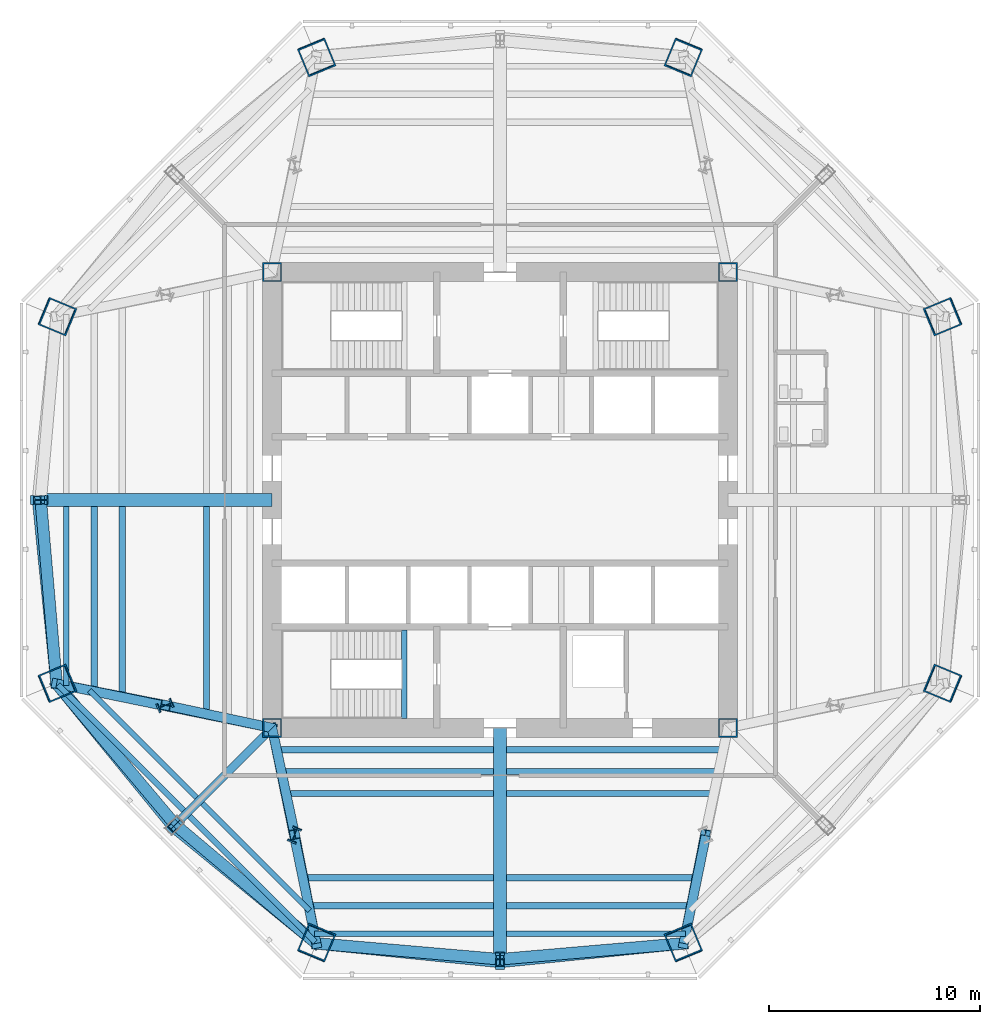
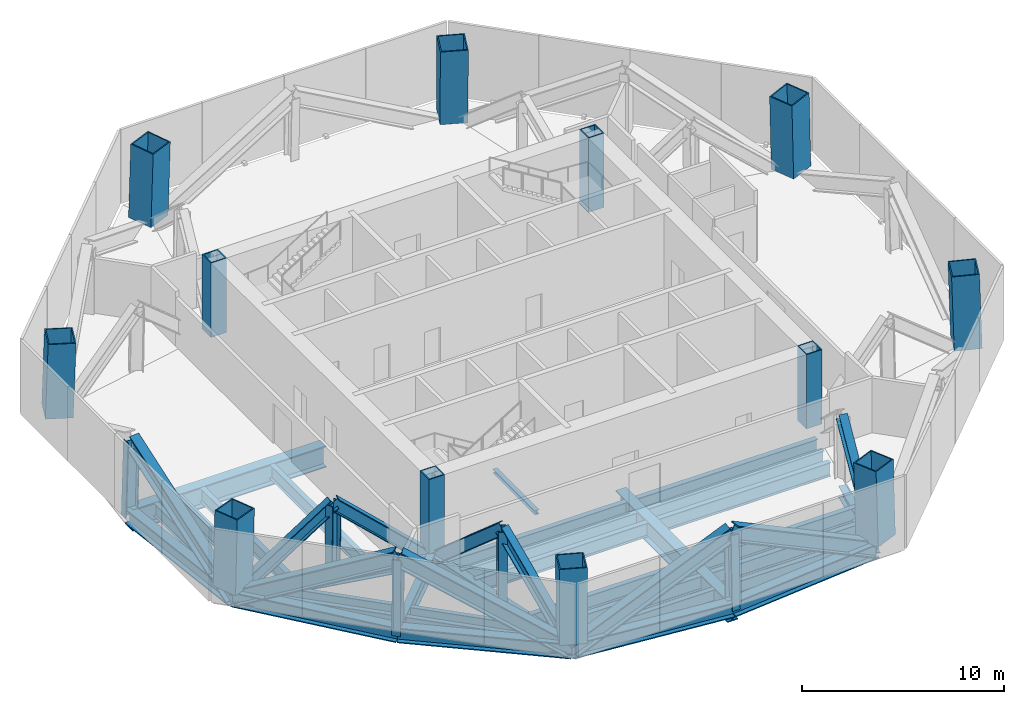
# One storey, part 1 of 9: 25 members, 24 beams, 12 columns.
"""IFC4 building model written with IfcOpenShell, lengths in metres."""

import ifcopenshell
import ifcopenshell.guid

model = None  # the IFC model being written
_history = None  # IfcOwnerHistory: only IFC2X3 demands one
_inside = {}  # id of a spatial element -> (the spatial element, [elements in it])
_under = {}  # id of a project, library or spatial element -> (it, [spatial elements below it])
_declared = {}  # id of a project -> (the project, [libraries it declares])
_typed = {}  # id of a type object -> (the type object, [elements of that type])
_made_of = {}  # id of a material, layer set ... -> (it, [elements and type objects made of it])


def new_model(schema):
    """Start an empty IFC model of exactly this schema.

    Asked for "IFC4X3", IfcOpenShell would pick the latest addendum, in which some entities
    have other attributes; the version numbers below select the first issue.
    IFC2X3 requires an IfcOwnerHistory on every rooted entity: one is made here for all.
    """
    global model, _history
    if schema == "IFC4X3":
        model = ifcopenshell.file(schema_version=(4, 3, 0, 0))
    else:
        model = ifcopenshell.file(schema=schema)
    _inside.clear()
    _under.clear()
    _declared.clear()
    _typed.clear()
    _made_of.clear()
    _history = None
    if model.schema == "IFC2X3":
        org = make("IfcOrganization", Name="unknown")
        user = make(
            "IfcPersonAndOrganization",
            ThePerson=make("IfcPerson", FamilyName="unknown"),
            TheOrganization=org,
        )
        app = make(
            "IfcApplication",
            ApplicationDeveloper=org,
            Version="unknown",
            ApplicationFullName="unknown",
            ApplicationIdentifier="unknown",
        )
        _history = make(
            "IfcOwnerHistory",
            OwningUser=user,
            OwningApplication=app,
            ChangeAction="ADDED",
            CreationDate=0,
        )
    return model


def make(cls, **values):
    """One entity of the class cls with the attributes given. An attribute that is None is left unset."""
    return model.create_entity(
        cls, **{name: value for name, value in values.items() if value is not None}
    )


def rooted(cls, **values):
    """An entity with a GlobalId (a new one), such as an element, a storey or a relation."""
    return make(cls, GlobalId=ifcopenshell.guid.new(), OwnerHistory=_history, **values)


def si_unit(unit_type, name, prefix=None):
    """IfcSIUnit, for example si_unit("LENGTHUNIT", "METRE", prefix="MILLI")."""
    return make("IfcSIUnit", UnitType=unit_type, Prefix=prefix, Name=name)


def assignment(units):
    """IfcUnitAssignment: the units of a project."""
    return None if units is None else make("IfcUnitAssignment", Units=units)


def point(xyz):
    """IfcCartesianPoint."""
    return None if xyz is None else make("IfcCartesianPoint", Coordinates=xyz)


def direction(xyz):
    """IfcDirection."""
    return None if xyz is None else make("IfcDirection", DirectionRatios=xyz)


def frame(location, z_axis=None, x_axis=None):
    """IfcAxis2Placement3D, a coordinate frame: its origin and axes. An axis left out is left unset."""
    return make(
        "IfcAxis2Placement3D",
        Location=point(location),
        Axis=direction(z_axis),
        RefDirection=direction(x_axis),
    )


def frame_2d(location, x_axis=None):
    """IfcAxis2Placement2D, a coordinate frame in the plane: its origin and x axis."""
    return make(
        "IfcAxis2Placement2D", Location=point(location), RefDirection=direction(x_axis)
    )


def origin():
    """The frame at (0, 0, 0) with its axes left unset."""
    return frame((0.0, 0.0, 0.0))


def origin_2d():
    """The frame at (0, 0) in the plane with its x axis left unset."""
    return frame_2d((0.0, 0.0))


def place(relative_to, where):
    """IfcLocalPlacement: puts the frame where relative to a parent placement (None: the world)."""
    return make(
        "IfcLocalPlacement", PlacementRelTo=relative_to, RelativePlacement=where
    )


def context(
    kind, dimensions, precision=None, world=None, true_north=None, identifier=None
):
    """IfcGeometricRepresentationContext, for example the 3D "Model" context."""
    return make(
        "IfcGeometricRepresentationContext",
        ContextIdentifier=identifier,
        ContextType=kind,
        CoordinateSpaceDimension=dimensions,
        Precision=precision,
        WorldCoordinateSystem=world,
        TrueNorth=true_north,
    )


def subcontext(parent, identifier, kind, view, scale=None):
    """IfcGeometricRepresentationSubContext, for example "Body" below "Model"."""
    return make(
        "IfcGeometricRepresentationSubContext",
        ContextIdentifier=identifier,
        ContextType=kind,
        ParentContext=parent,
        TargetScale=scale,
        TargetView=view,
    )


def project(units=None, contexts=None):
    """IfcProject with its units and contexts."""
    return rooted(
        "IfcProject",
        Name="project",
        RepresentationContexts=contexts,
        UnitsInContext=assignment(units),
    )


def spatial(cls, under=None, at=None, **own):
    """A site, building, storey or space (cls), placed at a placement, below another one or the project."""
    s = rooted(cls, ObjectPlacement=at, **own)
    if under is not None:
        _under.setdefault(under.id(), (under, []))[1].append(s)
    return s


def profile(cls, at=None, kind="AREA", **sizes):
    """A parametric profile (cls). Its sizes go by their IFC names, for example OverallWidth=200.0."""
    return make(cls, ProfileType=kind, Position=at, **sizes)


def hollow_rectangle(**sizes):
    """IfcRectangleHollowProfileDef."""
    return profile("IfcRectangleHollowProfileDef", **sizes)


def i_section(**sizes):
    """IfcIShapeProfileDef."""
    return profile("IfcIShapeProfileDef", **sizes)


def extrude(swept, where, along, depth):
    """IfcExtrudedAreaSolid: the profile swept, set in the frame where, extruded along a direction by depth."""
    return make(
        "IfcExtrudedAreaSolid",
        SweptArea=swept,
        Position=where,
        ExtrudedDirection=direction(along),
        Depth=depth,
    )


def shape(context_of_items, identifier, shape_type, items):
    """IfcShapeRepresentation: the items that make up one representation, for example the "Body"."""
    return make(
        "IfcShapeRepresentation",
        ContextOfItems=context_of_items,
        RepresentationIdentifier=identifier,
        RepresentationType=shape_type,
        Items=items,
    )


def source(mapping_origin, context_of_items, identifier, shape_type, items):
    """IfcRepresentationMap: a shape defined once, which mapped items show again and again."""
    return make(
        "IfcRepresentationMap",
        MappingOrigin=mapping_origin,
        MappedRepresentation=shape(context_of_items, identifier, shape_type, items),
    )


def transform(
    local_origin,
    x_axis=None,
    y_axis=None,
    z_axis=None,
    scale=None,
    scale2=None,
    scale3=None,
    uniform=True,
):
    """IfcCartesianTransformationOperator3D, or its non-uniform kind. x_axis, y_axis, z_axis: its Axis1, 2, 3."""
    if uniform:
        return make(
            "IfcCartesianTransformationOperator3D",
            Axis1=direction(x_axis),
            Axis2=direction(y_axis),
            LocalOrigin=point(local_origin),
            Scale=scale,
            Axis3=direction(z_axis),
        )
    return make(
        "IfcCartesianTransformationOperator3DnonUniform",
        Axis1=direction(x_axis),
        Axis2=direction(y_axis),
        LocalOrigin=point(local_origin),
        Scale=scale,
        Axis3=direction(z_axis),
        Scale2=scale2,
        Scale3=scale3,
    )


def mapped(mapping_source, mapping_target):
    """IfcMappedItem: shows the shape of a source again, moved by a transform."""
    return make(
        "IfcMappedItem", MappingSource=mapping_source, MappingTarget=mapping_target
    )


def material(Name=None, Category=None):
    """IfcMaterial."""
    return make("IfcMaterial", Name=Name, Category=Category)


def material_profile(
    of_material, cross_section, Name=None, Category=None, Priority=None
):
    """IfcMaterialProfile: a cross section and its material."""
    return make(
        "IfcMaterialProfile",
        Name=Name,
        Material=of_material,
        Profile=cross_section,
        Priority=Priority,
        Category=Category,
    )


def profile_set(profiles, Name=None, composite=None):
    """IfcMaterialProfileSet."""
    return make(
        "IfcMaterialProfileSet",
        Name=Name,
        MaterialProfiles=profiles,
        CompositeProfile=composite,
    )


def made_of(thing, what):
    """Note that an element or type object is made of a material, layer set ...; save() writes the relation."""
    if what is not None:
        _made_of.setdefault(what.id(), (what, []))[1].append(thing)
    return thing


def type_object(cls, material=None, **own):
    """A type object (cls), such as IfcWallType, which elements share."""
    return made_of(rooted(cls, **own), material)


def type_shapes(of_type, sources):
    """Give a type object the sources (RepresentationMaps) that its elements show as mapped items."""
    of_type.RepresentationMaps = sources


def element(
    cls,
    number,
    at=None,
    inside=None,
    cuts=None,
    type_object=None,
    material=None,
    context=None,
    identifier="Body",
    shape_type=None,
    held_by="IfcProductDefinitionShape",
    body=None,
    shapes=None,
    **own,
):
    """One element of the class cls, such as IfcWall. Its Tag is "e" and its number.

    at: its placement. inside: the storey or other place that contains it. cuts: it is an
    opening in that element (IfcRelVoidsElement). A single representation is given by context,
    identifier, shape_type and body (its items); several are given by shapes. held_by: the class
    of the entity that holds the representations. save() writes the other relations.
    """
    e = rooted(cls, Tag="e%d" % number, ObjectPlacement=at, **own)
    if body is not None:
        shapes = [shape(context, identifier, shape_type, body)]
    if shapes is not None:
        e.Representation = make(held_by, Representations=shapes)
    if inside is not None:
        _inside.setdefault(inside.id(), (inside, []))[1].append(e)
    if cuts is not None:
        rooted(
            "IfcRelVoidsElement", RelatingBuildingElement=cuts, RelatedOpeningElement=e
        )
    if type_object is not None:
        _typed.setdefault(type_object.id(), (type_object, []))[1].append(e)
    return made_of(e, material)


def aggregate(whole, parts):
    """IfcRelAggregates: a whole, such as a stair, and the parts it consists of."""
    return rooted("IfcRelAggregates", RelatingObject=whole, RelatedObjects=parts)


def save(model, path):
    """Write the relations noted so far, then the file.

    IfcRelAggregates (storeys below a building ...), IfcRelContainedInSpatialStructure (elements
    in a storey), IfcRelDefinesByType, IfcRelAssociatesMaterial and IfcRelDeclares: one each for
    every whole, place, type object, material and project.
    """
    for whole, parts in _under.values():
        aggregate(whole, parts)
    for where, things in _inside.values():
        rooted(
            "IfcRelContainedInSpatialStructure",
            RelatedElements=things,
            RelatingStructure=where,
        )
    for kind, things in _typed.values():
        rooted("IfcRelDefinesByType", RelatedObjects=things, RelatingType=kind)
    for what, things in _made_of.values():
        rooted("IfcRelAssociatesMaterial", RelatedObjects=things, RelatingMaterial=what)
    for by, libraries in _declared.values():
        rooted("IfcRelDeclares", RelatingContext=by, RelatedDefinitions=libraries)
    model.write(path)


model = new_model("IFC4")

# Units and contexts
model_context = context("Model", 3, precision=1e-05, world=origin(), true_north=direction((0.0, 1.0)))
body_context = subcontext(model_context, "Body", "Model", "MODEL_VIEW")
ifc_project = project(units=[si_unit("LENGTHUNIT", "METRE"), si_unit("AREAUNIT", "SQUARE_METRE"), si_unit("VOLUMEUNIT", "CUBIC_METRE"), si_unit("PLANEANGLEUNIT", "RADIAN"), si_unit("MASSUNIT", "GRAM", prefix="KILO")], contexts=[model_context])

# Site, building, storey
site_placement = place(None, origin())
site = spatial("IfcSite", under=ifc_project, at=site_placement, CompositionType="ELEMENT")
building_placement = place(site_placement, origin())
building = spatial("IfcBuilding", under=site, at=building_placement, Name="Mashrafa Tower", CompositionType="ELEMENT")
storey_placement = place(building_placement, frame((0.0, 0.0, 189.0)))
storey = spatial("IfcBuildingStorey", under=building, at=storey_placement, Name="L43", CompositionType="ELEMENT", Elevation=189.0)

# Columns
ifc_material_1 = material(Name="Steel ASTM A572 Gr 50", Category="steel")
ifc_material_profile_1 = material_profile(ifc_material_1, hollow_rectangle(XDim=0.89990234375, YDim=0.89990234375, WallThickness=0.06005859375, at=origin_2d()), Name="BOX900X900X60")
ifc_profile_set_1 = profile_set([ifc_material_profile_1], Name="Steel ASTM A572 Gr 50")
column_type_1 = type_object("IfcColumnType", Name="Core corner column BOX900X900X60", PredefinedType="COLUMN", material=ifc_profile_set_1)
for number, where, z_axis, x_axis, name in (
    (1, (10.800048828125, 10.800048828125, 0.0), (0.0, 0.0, 1.0), (1.0, 0.0, 0.0), "Core corner column CC-NE L43"),
    (2, (-10.800048828125, 10.800048828125, 0.0), (0.0, 0.0, 1.0), (1.0, 0.0, 0.0), "Core corner column CC-NW L43"),
    (3, (-10.800048828125, -10.800048828125, 0.0), (0.0, 0.0, 1.0), (1.0, 0.0, 0.0), "Core corner column CC-SW L43"),
    (4, (10.800048828125, -10.800048828125, 0.0), (0.0, 0.0, 1.0), (1.0, 0.0, 0.0), "Core corner column CC-SE L43"),
):
    element("IfcColumn", number, at=place(storey_placement, frame(where, z_axis=z_axis, x_axis=x_axis)), inside=storey, type_object=column_type_1, Name=name, PredefinedType="COLUMN", context=body_context, shape_type="SweptSolid", body=[
        extrude(hollow_rectangle(XDim=0.89990234375, YDim=0.89990234375, WallThickness=0.06005859375, at=origin_2d()), origin(), (0.0, 0.0, 1.0), 4.5),
    ])
ifc_material_2 = material(Name="Steel ASTM A572 Gr 50", Category="steel")
ifc_material_profile_2 = material_profile(ifc_material_2, hollow_rectangle(XDim=1.39990234375, YDim=1.39990234375, WallThickness=0.06494140625, at=origin_2d()), Name="BOX1400X1400X65")
ifc_profile_set_2 = profile_set([ifc_material_profile_2], Name="Steel ASTM A572 Gr 50")
column_type_2 = type_object("IfcColumnType", Name="Mega column CFST BOX1400X1400X65", PredefinedType="COLUMN", material=ifc_profile_set_2)
for number, where, z_axis, x_axis, name in (
    (5, (20.989990234375, 8.6943359375, 0.0), (-0.028307020249, -0.011713249758, 0.999530646046), (0.382351792726, -0.924016832422, 0.0), "Mega column MC1 L43"),
    (6, (8.6943359375, 20.989990234375, 0.0), (-0.011713249758, -0.028307020249, 0.999530646046), (0.924016832422, -0.382351792726, 0.0), "Mega column MC2 L43"),
    (7, (-8.6943359375, 20.989990234375, 0.0), (0.011713249758, -0.028307020249, 0.999530646046), (0.924016832422, 0.382351792726, 0.0), "Mega column MC3 L43"),
    (8, (-20.989990234375, 8.6943359375, 0.0), (0.028307020249, -0.011713249758, 0.999530646046), (0.382351792726, 0.924016832422, 0.0), "Mega column MC4 L43"),
    (9, (-20.989990234375, -8.6943359375, 0.0), (0.028307020249, 0.011713249758, 0.999530646046), (-0.382351792726, 0.924016832422, 0.0), "Mega column MC5 L43"),
    (10, (-8.6943359375, -20.989990234375, 0.0), (0.011713249758, 0.028307020249, 0.999530646046), (-0.924016832422, 0.382351792726, 0.0), "Mega column MC6 L43"),
    (11, (8.6943359375, -20.989990234375, 0.0), (-0.011713249758, 0.028307020249, 0.999530646046), (-0.924016832422, -0.382351792726, 0.0), "Mega column MC7 L43"),
    (12, (20.989990234375, -8.6943359375, 0.0), (-0.028307020249, 0.011713249758, 0.999530646046), (-0.382351792726, -0.924016832422, 0.0), "Mega column MC8 L43"),
):
    element("IfcColumn", number, at=place(storey_placement, frame(where, z_axis=z_axis, x_axis=x_axis)), inside=storey, type_object=column_type_2, Name=name, PredefinedType="COLUMN", context=body_context, shape_type="SweptSolid", body=[
        extrude(hollow_rectangle(XDim=1.39990234375, YDim=1.39990234375, WallThickness=0.06494140625, at=origin_2d()), origin(), (0.0, 0.0, 1.0), 4.502197265625),
    ])

# Beams
ifc_material_3 = material(Name="Steel ASTM A572 Gr 50", Category="steel")
ifc_material_profile_3 = material_profile(ifc_material_3, i_section(OverallWidth=0.60009765625, OverallDepth=1.300048828125, WebThickness=0.028076171875, FlangeThickness=0.06494140625, at=origin_2d()), Name="H1300X600X28X65")
ifc_profile_set_3 = profile_set([ifc_material_profile_3], Name="Steel ASTM A572 Gr 50")
beam_type_1 = type_object("IfcBeamType", Name="Beam H1300X600X28X65", PredefinedType="BEAM", material=ifc_profile_set_3)
for number, where, z_axis, x_axis, name in (
    (13, (-10.800048828125, 0.0, -0.89990234375), (-1.0, 0.0, 0.0), (0.0, -1.0, 0.0), "Radial girder L43 066"),
    (14, (0.0, -10.800048828125, -0.89990234375), (0.0, -1.0, 0.0), (1.0, 0.0, 0.0), "Radial girder L43 068"),
):
    element("IfcBeam", number, at=place(storey_placement, frame(where, z_axis=z_axis, x_axis=x_axis)), inside=storey, type_object=beam_type_1, Name=name, PredefinedType="BEAM", context=body_context, shape_type="SweptSolid", body=[
        extrude(i_section(OverallWidth=0.60009765625, OverallDepth=1.300048828125, WebThickness=0.028076171875, FlangeThickness=0.06494140625, at=origin_2d()), origin(), (0.0, 0.0, 1.0), 11.0751953125),
    ])
ifc_material_4 = material(Name="Steel ASTM A992", Category="steel")
ifc_material_profile_4 = material_profile(ifc_material_4, i_section(OverallWidth=0.25390625, OverallDepth=0.683349609375, WebThickness=0.012451171875, FlangeThickness=0.01904296875, FilletRadius=0.01513671875, at=origin_2d()), Name="W27X94")
ifc_profile_set_4 = profile_set([ifc_material_profile_4], Name="Steel ASTM A992")
beam_type_2 = type_object("IfcBeamType", Name="Beam W27X94", PredefinedType="BEAM", material=ifc_profile_set_4)
for number, where, z_axis, x_axis, name in (
    (15, (-14.37939453125, -14.095703125, -0.591552734375), (-0.707106781187, 0.707106781187, 0.0), (-0.707106781187, -0.707106781187, 0.0), "Floor beam L43 011"),
    (16, (-9.013916015625, -19.461181640625, -0.591552734375), (-0.707106781187, 0.707106781187, 0.0), (-0.707106781187, -0.707106781187, 0.0), "Floor beam L43 024"),
):
    element("IfcBeam", number, at=place(storey_placement, frame(where, z_axis=z_axis, x_axis=x_axis)), inside=storey, type_object=beam_type_2, Name=name, PredefinedType="BEAM", context=body_context, shape_type="SweptSolid", body=[
        extrude(i_section(OverallWidth=0.25390625, OverallDepth=0.683349609375, WebThickness=0.012451171875, FlangeThickness=0.01904296875, FilletRadius=0.01513671875, at=origin_2d()), origin(), (0.0, 0.0, 1.0), 7.186767578125),
    ])
ifc_material_5 = material(Name="Steel ASTM A992", Category="steel")
ifc_material_profile_5 = material_profile(ifc_material_5, i_section(OverallWidth=0.2666015625, OverallDepth=0.761962890625, WebThickness=0.014404296875, FlangeThickness=0.021484375, FilletRadius=0.0166015625, at=origin_2d()), Name="W30X116")
ifc_profile_set_5 = profile_set([ifc_material_profile_5], Name="Steel ASTM A992")
beam_type_3 = type_object("IfcBeamType", Name="Beam W30X116", PredefinedType="BEAM", material=ifc_profile_set_5)
beam_1_placement = place(storey_placement, frame((-20.5498046875, -8.78955078125, -0.631103515625), z_axis=(0.0, 1.0, 0.0), x_axis=(-1.0, 0.0, 0.0)))
element("IfcBeam", 17, at=beam_1_placement, inside=storey, type_object=beam_type_3, Name="Floor beam L43 002", PredefinedType="BEAM", context=body_context, shape_type="SweptSolid", body=[
    extrude(i_section(OverallWidth=0.2666015625, OverallDepth=0.761962890625, WebThickness=0.014404296875, FlangeThickness=0.021484375, FilletRadius=0.0166015625, at=origin_2d()), origin(), (0.0, 0.0, 1.0), 8.489501953125),
])
for number, where, z_axis, x_axis, name in (
    (18, (-14.99462890625, -14.7109375, -0.631103515625), (-0.707121284305, 0.707092277771, 0.0), (-0.707092277771, -0.707121284305, 0.0), "Floor beam L43 009"),
    (19, (-8.759521484375, -20.9462890625, -0.631103515625), (-0.707092277771, 0.707121284305, 0.0), (-0.707121284305, -0.707092277771, 0.0), "Floor beam L43 026"),
):
    element("IfcBeam", number, at=place(storey_placement, frame(where, z_axis=z_axis, x_axis=x_axis)), inside=storey, type_object=beam_type_3, Name=name, PredefinedType="BEAM", context=body_context, shape_type="SweptSolid", body=[
        extrude(i_section(OverallWidth=0.2666015625, OverallDepth=0.761962890625, WebThickness=0.014404296875, FlangeThickness=0.021484375, FilletRadius=0.0166015625, at=origin_2d()), origin(), (0.0, 0.0, 1.0), 8.416748046875),
    ])
for number, where, z_axis, x_axis, name in (
    (20, (-0.300048828125, -20.5498046875, -0.631103515625), (-1.0, 0.0, 0.0), (0.0, -1.0, 0.0), "Floor beam L43 027"),
    (21, (8.78955078125, -20.5498046875, -0.631103515625), (-1.0, 0.0, 0.0), (0.0, -1.0, 0.0), "Floor beam L43 040"),
):
    element("IfcBeam", number, at=place(storey_placement, frame(where, z_axis=z_axis, x_axis=x_axis)), inside=storey, type_object=beam_type_3, Name=name, PredefinedType="BEAM", context=body_context, shape_type="SweptSolid", body=[
        extrude(i_section(OverallWidth=0.2666015625, OverallDepth=0.761962890625, WebThickness=0.014404296875, FlangeThickness=0.021484375, FilletRadius=0.0166015625, at=origin_2d()), origin(), (0.0, 0.0, 1.0), 8.489501953125),
    ])
ifc_material_6 = material(Name="Steel ASTM A992", Category="steel")
ifc_material_profile_6 = material_profile(ifc_material_6, i_section(OverallWidth=0.2919921875, OverallDepth=0.8408203125, WebThickness=0.0146484375, FlangeThickness=0.021728515625, FilletRadius=0.017333984375, at=origin_2d()), Name="W33X130")
ifc_profile_set_6 = profile_set([ifc_material_profile_6], Name="Steel ASTM A992")
beam_type_4 = type_object("IfcBeamType", Name="Beam W33X130", PredefinedType="BEAM", material=ifc_profile_set_6)
beam_2_placement = place(storey_placement, frame((-19.224365234375, -9.062744140625, -0.67041015625), z_axis=(0.0, 1.0, 0.0), x_axis=(-1.0, 0.0, 0.0)))
element("IfcBeam", 22, at=beam_2_placement, inside=storey, type_object=beam_type_4, Name="Floor beam L43 005", PredefinedType="BEAM", context=body_context, shape_type="SweptSolid", body=[
    extrude(i_section(OverallWidth=0.2919921875, OverallDepth=0.8408203125, WebThickness=0.0146484375, FlangeThickness=0.021728515625, FilletRadius=0.017333984375, at=origin_2d()), origin(), (0.0, 0.0, 1.0), 8.7626953125),
])
beam_3_placement = place(storey_placement, frame((-17.89892578125, -9.336181640625, -0.67041015625), z_axis=(0.0, 1.0, 0.0), x_axis=(-1.0, 0.0, 0.0)))
element("IfcBeam", 23, at=beam_3_placement, inside=storey, type_object=beam_type_4, Name="Floor beam L43 007", PredefinedType="BEAM", context=body_context, shape_type="SweptSolid", body=[
    extrude(i_section(OverallWidth=0.2919921875, OverallDepth=0.8408203125, WebThickness=0.0146484375, FlangeThickness=0.021728515625, FilletRadius=0.017333984375, at=origin_2d()), origin(), (0.0, 0.0, 1.0), 9.0361328125),
])
beam_4_placement = place(storey_placement, frame((-0.300048828125, -19.224365234375, -0.67041015625), z_axis=(-1.0, 0.0, 0.0), x_axis=(0.0, -1.0, 0.0)))
element("IfcBeam", 24, at=beam_4_placement, inside=storey, type_object=beam_type_4, Name="Floor beam L43 028", PredefinedType="BEAM", context=body_context, shape_type="SweptSolid", body=[
    extrude(i_section(OverallWidth=0.2919921875, OverallDepth=0.8408203125, WebThickness=0.0146484375, FlangeThickness=0.021728515625, FilletRadius=0.017333984375, at=origin_2d()), origin(), (0.0, 0.0, 1.0), 8.7626953125),
])
beam_5_placement = place(storey_placement, frame((-0.300048828125, -17.89892578125, -0.67041015625), z_axis=(-1.0, 0.0, 0.0), x_axis=(0.0, -1.0, 0.0)))
element("IfcBeam", 25, at=beam_5_placement, inside=storey, type_object=beam_type_4, Name="Floor beam L43 029", PredefinedType="BEAM", context=body_context, shape_type="SweptSolid", body=[
    extrude(i_section(OverallWidth=0.2919921875, OverallDepth=0.8408203125, WebThickness=0.0146484375, FlangeThickness=0.021728515625, FilletRadius=0.017333984375, at=origin_2d()), origin(), (0.0, 0.0, 1.0), 9.0361328125),
])
beam_6_placement = place(storey_placement, frame((9.062744140625, -19.224365234375, -0.67041015625), z_axis=(-1.0, 0.0, 0.0), x_axis=(0.0, -1.0, 0.0)))
element("IfcBeam", 26, at=beam_6_placement, inside=storey, type_object=beam_type_4, Name="Floor beam L43 042", PredefinedType="BEAM", context=body_context, shape_type="SweptSolid", body=[
    extrude(i_section(OverallWidth=0.2919921875, OverallDepth=0.8408203125, WebThickness=0.0146484375, FlangeThickness=0.021728515625, FilletRadius=0.017333984375, at=origin_2d()), origin(), (0.0, 0.0, 1.0), 8.7626953125),
])
beam_7_placement = place(storey_placement, frame((9.336181640625, -17.89892578125, -0.67041015625), z_axis=(-1.0, 0.0, 0.0), x_axis=(0.0, -1.0, 0.0)))
element("IfcBeam", 27, at=beam_7_placement, inside=storey, type_object=beam_type_4, Name="Floor beam L43 043", PredefinedType="BEAM", context=body_context, shape_type="SweptSolid", body=[
    extrude(i_section(OverallWidth=0.2919921875, OverallDepth=0.8408203125, WebThickness=0.0146484375, FlangeThickness=0.021728515625, FilletRadius=0.017333984375, at=origin_2d()), origin(), (0.0, 0.0, 1.0), 9.0361328125),
])
ifc_material_7 = material(Name="Steel ASTM A992", Category="steel")
ifc_material_profile_7 = material_profile(ifc_material_7, i_section(OverallWidth=0.2919921875, OverallDepth=0.845703125, WebThickness=0.015380859375, FlangeThickness=0.0244140625, FilletRadius=0.017333984375, at=origin_2d()), Name="W33X141")
ifc_profile_set_7 = profile_set([ifc_material_profile_7], Name="Steel ASTM A992")
beam_type_5 = type_object("IfcBeamType", Name="Beam W33X141", PredefinedType="BEAM", material=ifc_profile_set_7)
for number, where, z_axis, x_axis, name in (
    (28, (-13.89892578125, -10.160888671875, -0.6728515625), (0.0, 1.0, 0.0), (-1.0, 0.0, 0.0), "Floor beam L43 013"),
    (29, (-0.300048828125, -13.89892578125, -0.6728515625), (-1.0, 0.0, 0.0), (0.0, -1.0, 0.0), "Floor beam L43 030"),
):
    element("IfcBeam", number, at=place(storey_placement, frame(where, z_axis=z_axis, x_axis=x_axis)), inside=storey, type_object=beam_type_5, Name=name, PredefinedType="BEAM", context=body_context, shape_type="SweptSolid", body=[
        extrude(i_section(OverallWidth=0.2919921875, OverallDepth=0.845703125, WebThickness=0.015380859375, FlangeThickness=0.0244140625, FilletRadius=0.017333984375, at=origin_2d()), origin(), (0.0, 0.0, 1.0), 9.86083984375),
    ])
beam_8_placement = place(storey_placement, frame((-0.300048828125, -12.865966796875, -0.6728515625), z_axis=(-1.0, 0.0, 0.0), x_axis=(0.0, -1.0, 0.0)))
element("IfcBeam", 30, at=beam_8_placement, inside=storey, type_object=beam_type_5, Name="Floor beam L43 031", PredefinedType="BEAM", context=body_context, shape_type="SweptSolid", body=[
    extrude(i_section(OverallWidth=0.2919921875, OverallDepth=0.845703125, WebThickness=0.015380859375, FlangeThickness=0.0244140625, FilletRadius=0.017333984375, at=origin_2d()), origin(), (0.0, 0.0, 1.0), 10.073974609375),
])
beam_9_placement = place(storey_placement, frame((10.160888671875, -13.89892578125, -0.6728515625), z_axis=(-1.0, 0.0, 0.0), x_axis=(0.0, -1.0, 0.0)))
element("IfcBeam", 31, at=beam_9_placement, inside=storey, type_object=beam_type_5, Name="Floor beam L43 044", PredefinedType="BEAM", context=body_context, shape_type="SweptSolid", body=[
    extrude(i_section(OverallWidth=0.2919921875, OverallDepth=0.845703125, WebThickness=0.015380859375, FlangeThickness=0.0244140625, FilletRadius=0.017333984375, at=origin_2d()), origin(), (0.0, 0.0, 1.0), 9.86083984375),
])
beam_10_placement = place(storey_placement, frame((10.3740234375, -12.865966796875, -0.6728515625), z_axis=(-1.0, 0.0, 0.0), x_axis=(0.0, -1.0, 0.0)))
element("IfcBeam", 32, at=beam_10_placement, inside=storey, type_object=beam_type_5, Name="Floor beam L43 045", PredefinedType="BEAM", context=body_context, shape_type="SweptSolid", body=[
    extrude(i_section(OverallWidth=0.2919921875, OverallDepth=0.845703125, WebThickness=0.015380859375, FlangeThickness=0.0244140625, FilletRadius=0.017333984375, at=origin_2d()), origin(), (0.0, 0.0, 1.0), 10.073974609375),
])
ifc_material_8 = material(Name="Steel ASTM A992", Category="steel")
ifc_material_profile_8 = material_profile(ifc_material_8, i_section(OverallWidth=0.3046875, OverallDepth=0.911865234375, WebThickness=0.015869140625, FlangeThickness=0.02392578125, FilletRadius=0.01904296875, at=origin_2d()), Name="W36X150")
ifc_profile_set_8 = profile_set([ifc_material_profile_8], Name="Steel ASTM A992")
beam_type_6 = type_object("IfcBeamType", Name="Beam W36X150", PredefinedType="BEAM", material=ifc_profile_set_8)
for number, where, z_axis, x_axis, name in (
    (33, (-0.300048828125, -11.8330078125, -0.705810546875), (-1.0, 0.0, 0.0), (0.0, -1.0, 0.0), "Floor beam L43 032"),
    (34, (10.5869140625, -11.8330078125, -0.705810546875), (-1.0, 0.0, 0.0), (0.0, -1.0, 0.0), "Floor beam L43 046"),
):
    element("IfcBeam", number, at=place(storey_placement, frame(where, z_axis=z_axis, x_axis=x_axis)), inside=storey, type_object=beam_type_6, Name=name, PredefinedType="BEAM", context=body_context, shape_type="SweptSolid", body=[
        extrude(i_section(OverallWidth=0.3046875, OverallDepth=0.911865234375, WebThickness=0.015869140625, FlangeThickness=0.02392578125, FilletRadius=0.01904296875, at=origin_2d()), origin(), (0.0, 0.0, 1.0), 10.286865234375),
    ])
ifc_material_9 = material(Name="Steel ASTM A992", Category="steel")
ifc_material_profile_9 = material_profile(ifc_material_9, i_section(OverallWidth=0.4013671875, OverallDepth=1.010986328125, WebThickness=0.023681640625, FlangeThickness=0.0419921875, FilletRadius=0.02001953125, at=origin_2d()), Name="W40X297")
ifc_profile_set_9 = profile_set([ifc_material_profile_9], Name="Steel ASTM A992")
beam_type_7 = type_object("IfcBeamType", Name="Beam W40X297", PredefinedType="BEAM", material=ifc_profile_set_9)
beam_11_placement = place(storey_placement, frame((-10.800048828125, -10.800048828125, -0.75537109375), z_axis=(-0.707106781187, -0.707106781187, 0.0), x_axis=(0.707106781187, -0.707106781187, 0.0)))
element("IfcBeam", 35, at=beam_11_placement, inside=storey, type_object=beam_type_7, Name="Radial girder L43 065", PredefinedType="BEAM", context=body_context, shape_type="SweptSolid", body=[
    extrude(i_section(OverallWidth=0.4013671875, OverallDepth=1.010986328125, WebThickness=0.023681640625, FlangeThickness=0.0419921875, FilletRadius=0.02001953125, at=origin_2d()), origin(), (0.0, 0.0, 1.0), 6.6015625),
])
ifc_material_10 = material(Name="Steel ASTM A992", Category="steel")
ifc_material_profile_10 = material_profile(ifc_material_10, i_section(OverallWidth=0.25390625, OverallDepth=0.25390625, WebThickness=0.008544921875, FlangeThickness=0.01416015625, FilletRadius=0.010009765625, at=origin_2d()), Name="W10X49")
ifc_profile_set_10 = profile_set([ifc_material_profile_10], Name="Steel ASTM A992")
beam_type_8 = type_object("IfcBeamType", Name="Hoistway beam W10X49", PredefinedType="BEAM", material=ifc_profile_set_10)
beam_12_placement = place(storey_placement, frame((-4.530029296875, -10.35009765625, -0.376953125), z_axis=(0.0, 1.0, 0.0), x_axis=(-1.0, 0.0, 0.0)))
element("IfcBeam", 36, at=beam_12_placement, inside=storey, type_object=beam_type_8, Name="Stair S3 landing beam L43", PredefinedType="BEAM", context=body_context, shape_type="SweptSolid", body=[
    extrude(i_section(OverallWidth=0.25390625, OverallDepth=0.25390625, WebThickness=0.008544921875, FlangeThickness=0.01416015625, FilletRadius=0.010009765625, at=origin_2d()), origin(), (0.0, 0.0, 1.0), 4.2001953125),
])

# Members
ifc_material_11 = material(Name="Steel ASTM A572 Gr 50", Category="steel")
ifc_material_profile_11 = material_profile(ifc_material_11, i_section(OverallWidth=0.449951171875, OverallDepth=0.699951171875, WebThickness=0.028076171875, FlangeThickness=0.044921875, at=origin_2d()), Name="H700X450X28X45")
ifc_profile_set_11 = profile_set([ifc_material_profile_11], Name="Steel ASTM A572 Gr 50")
member_type_1 = type_object("IfcMemberType", Name="Outrigger post H700X450X28X45", PredefinedType="POST", material=ifc_profile_set_11)
shared_shape_1 = source(origin(), body_context, "Body", "SweptSolid", [
    extrude(i_section(OverallWidth=0.449951171875, OverallDepth=0.699951171875, WebThickness=0.028076171875, FlangeThickness=0.044921875, at=origin_2d()), origin(), (0.0, 0.0, 1.0), 4.50048828125),
])
type_shapes(member_type_1, [shared_shape_1])
for number, where, z_axis, x_axis, name in (
    (37, (-15.90478515625, -9.751220703125, -0.699951171875), (0.01410425755, 0.005858691598, 0.999883366024), (-0.383606328283, 0.923496716237, 0.0), "Outrigger post MC5 L43"),
    (38, (-9.751220703125, -15.90478515625, -0.699951171875), (0.005858691598, 0.01410425755, 0.999883366024), (-0.923496716237, 0.383606328283, 0.0), "Outrigger post MC6 L43"),
):
    element("IfcMember", number, at=place(storey_placement, frame(where, z_axis=z_axis, x_axis=x_axis)), inside=storey, type_object=member_type_1, Name=name, PredefinedType="POST", context=body_context, shape_type="MappedRepresentation", body=[
        mapped(shared_shape_1, transform((0.0, 0.0, 0.0))),
    ])
ifc_material_12 = material(Name="Steel ASTM A572 Gr 50", Category="steel")
ifc_material_profile_12 = material_profile(ifc_material_12, i_section(OverallWidth=0.550048828125, OverallDepth=0.89990234375, WebThickness=0.034912109375, FlangeThickness=0.06005859375, at=origin_2d()), Name="H900X550X35X60")
ifc_profile_set_12 = profile_set([ifc_material_profile_12], Name="Steel ASTM A572 Gr 50")
member_type_2 = type_object("IfcMemberType", Name="Belt truss chord H900X550X35X60", PredefinedType="CHORD", material=ifc_profile_set_12)
shared_shape_2 = source(origin(), body_context, "Body", "SweptSolid", [
    extrude(i_section(OverallWidth=0.550048828125, OverallDepth=0.89990234375, WebThickness=0.034912109375, FlangeThickness=0.06005859375, at=origin_2d()), origin(), (0.0, 0.0, 1.0), 8.746826171875),
])
for number, where, z_axis, x_axis, name in (
    (39, (-21.009765625, -8.70263671875, -0.699951171875), (-0.100399070073, 0.994947248214, 0.0), (-0.994947248214, -0.100399070073, 0.0), "Belt truss bottom chord west face L43 left"),
    (40, (-8.70263671875, -21.009765625, -0.699951171875), (0.994947248214, -0.100399070073, 0.0), (0.100399070073, 0.994947248214, 0.0), "Belt truss bottom chord south face L43 right"),
    (41, (8.70263671875, -21.009765625, -0.699951171875), (-0.994947248214, -0.100399070073, 0.0), (0.100399070073, -0.994947248214, 0.0), "Belt truss bottom chord south face L43 left"),
):
    element("IfcMember", number, at=place(storey_placement, frame(where, z_axis=z_axis, x_axis=x_axis)), inside=storey, type_object=member_type_2, Name=name, PredefinedType="CHORD", context=body_context, shape_type="MappedRepresentation", body=[
        mapped(shared_shape_2, transform((0.0, 0.0, 0.0))),
    ])
ifc_material_13 = material(Name="Steel ASTM A572 Gr 50", Category="steel")
ifc_material_profile_13 = material_profile(ifc_material_13, i_section(OverallWidth=0.449951171875, OverallDepth=0.699951171875, WebThickness=0.028076171875, FlangeThickness=0.044921875, at=origin_2d()), Name="H700X450X28X45")
ifc_profile_set_13 = profile_set([ifc_material_profile_13], Name="Steel ASTM A572 Gr 50")
member_type_3 = type_object("IfcMemberType", Name="Belt truss post H700X450X28X45", PredefinedType="POST", material=ifc_profile_set_13)
shared_shape_3 = source(origin(), body_context, "Body", "SweptSolid", [
    extrude(i_section(OverallWidth=0.449951171875, OverallDepth=0.699951171875, WebThickness=0.028076171875, FlangeThickness=0.044921875, at=origin_2d()), origin(), (0.0, 0.0, 1.0), 4.501708984375),
])
type_shapes(member_type_3, [shared_shape_3])
for number, where, z_axis, x_axis, name in (
    (42, (-21.887939453125, 0.0, -0.699951171875), (0.028254773922, 0.0, 0.999600754177), (0.0, 1.0, 0.0), "Belt truss post west face L43"),
    (43, (-15.47705078125, -15.47705078125, -0.699951171875), (0.019957324127, 0.019957324127, 0.999601625863), (-0.707106781187, 0.707106781187, 0.0), "Belt truss post south-west face L43"),
    (44, (0.0, -21.887939453125, -0.699951171875), (0.0, 0.028254773922, 0.999600754177), (-1.0, 0.0, 0.0), "Belt truss post south face L43"),
):
    element("IfcMember", number, at=place(storey_placement, frame(where, z_axis=z_axis, x_axis=x_axis)), inside=storey, type_object=member_type_3, Name=name, PredefinedType="POST", context=body_context, shape_type="MappedRepresentation", body=[
        mapped(shared_shape_3, transform((0.0, 0.0, 0.0))),
    ])
ifc_material_14 = material(Name="Steel ASTM A572 Gr 50", Category="steel")
ifc_material_profile_14 = material_profile(ifc_material_14, i_section(OverallWidth=0.550048828125, OverallDepth=0.89990234375, WebThickness=0.034912109375, FlangeThickness=0.06005859375, at=origin_2d()), Name="H900X550X35X60")
ifc_profile_set_14 = profile_set([ifc_material_profile_14], Name="Steel ASTM A572 Gr 50")
member_type_4 = type_object("IfcMemberType", Name="Belt truss diagonal H900X550X35X60", PredefinedType="BRACE", material=ifc_profile_set_14)
shared_shape_4 = source(origin(), body_context, "Body", "SweptSolid", [
    extrude(i_section(OverallWidth=0.550048828125, OverallDepth=0.89990234375, WebThickness=0.034912109375, FlangeThickness=0.06005859375, at=origin_2d()), origin(), (0.0, 0.0, 1.0), 9.825927734375),
])
type_shapes(member_type_4, [shared_shape_4])
for number, where, z_axis, x_axis, name in (
    (45, (-21.009765625, -8.70263671875, -0.699951171875), (-0.076427662609, 0.88567635285, 0.457969660993), (-0.996297425327, -0.085973485954, 0.0), "Belt truss diagonal west face L43 left"),
    (46, (-21.009765625, -8.70263671875, -0.699951171875), (0.572223113145, -0.680306940422, 0.457977265371), (0.765280723538, 0.64369667871, 0.0), "Belt truss diagonal south-west face L43 right"),
    (47, (-8.70263671875, -21.009765625, -0.699951171875), (-0.680306940422, 0.572223113145, 0.457977265371), (-0.64369667871, -0.765280723538, 0.0), "Belt truss diagonal south-west face L43 left"),
    (48, (-8.70263671875, -21.009765625, -0.699951171875), (0.88567635285, -0.076427662609, 0.457969660993), (0.085973485954, 0.996297425327, 0.0), "Belt truss diagonal south face L43 right"),
    (49, (8.70263671875, -21.009765625, -0.699951171875), (-0.88567635285, -0.076427662609, 0.457969660993), (0.085973485954, -0.996297425327, 0.0), "Belt truss diagonal south face L43 left"),
):
    element("IfcMember", number, at=place(storey_placement, frame(where, z_axis=z_axis, x_axis=x_axis)), inside=storey, type_object=member_type_4, Name=name, PredefinedType="BRACE", context=body_context, shape_type="MappedRepresentation", body=[
        mapped(shared_shape_4, transform((0.0, 0.0, 0.0))),
    ])
shared_shape_5 = source(origin(), body_context, "Body", "SweptSolid", [
    extrude(i_section(OverallWidth=0.550048828125, OverallDepth=0.89990234375, WebThickness=0.034912109375, FlangeThickness=0.06005859375, at=origin_2d()), origin(), (0.0, 0.0, 1.0), 8.74658203125),
])
type_shapes(member_type_2, [shared_shape_2, shared_shape_5])
for number, where, z_axis, x_axis, name in (
    (50, (-21.009765625, -8.70263671875, -0.699951171875), (0.632553548024, -0.774516629184, 0.0), (0.774516629184, 0.632553548024, 0.0), "Belt truss bottom chord south-west face L43 right"),
    (51, (-8.70263671875, -21.009765625, -0.699951171875), (-0.774516629184, 0.632553548024, 0.0), (-0.632553548024, -0.774516629184, 0.0), "Belt truss bottom chord south-west face L43 left"),
):
    element("IfcMember", number, at=place(storey_placement, frame(where, z_axis=z_axis, x_axis=x_axis)), inside=storey, type_object=member_type_2, Name=name, PredefinedType="CHORD", context=body_context, shape_type="MappedRepresentation", body=[
        mapped(shared_shape_5, transform((0.0, 0.0, 0.0))),
    ])
ifc_material_15 = material(Name="Steel ASTM A572 Gr 50", Category="steel")
ifc_material_profile_15 = material_profile(ifc_material_15, i_section(OverallWidth=0.449951171875, OverallDepth=0.699951171875, WebThickness=0.028076171875, FlangeThickness=0.044921875, at=origin_2d()), Name="H700X450X28X45")
ifc_profile_set_15 = profile_set([ifc_material_profile_15], Name="Steel ASTM A572 Gr 50")
member_type_5 = type_object("IfcMemberType", Name="Outrigger chord H700X450X28X45", PredefinedType="CHORD", material=ifc_profile_set_15)
shared_shape_6 = source(origin(), body_context, "Body", "SweptSolid", [
    extrude(i_section(OverallWidth=0.449951171875, OverallDepth=0.699951171875, WebThickness=0.028076171875, FlangeThickness=0.044921875, at=origin_2d()), origin(), (0.0, 0.0, 1.0), 5.21142578125),
])
for number, where, z_axis, x_axis, name in (
    (52, (-10.800048828125, -10.800048828125, -0.699951171875), (-0.979538334646, 0.201257673042, 0.0), (-0.201257673042, -0.979538334646, 0.0), "Outrigger bottom chord MC5 L43 core end"),
    (53, (-10.800048828125, -10.800048828125, -0.699951171875), (0.201257673042, -0.979538334646, 0.0), (0.979538334646, 0.201257673042, 0.0), "Outrigger bottom chord MC6 L43 core end"),
):
    element("IfcMember", number, at=place(storey_placement, frame(where, z_axis=z_axis, x_axis=x_axis)), inside=storey, type_object=member_type_5, Name=name, PredefinedType="CHORD", context=body_context, shape_type="MappedRepresentation", body=[
        mapped(shared_shape_6, transform((0.0, 0.0, 0.0))),
    ])
shared_shape_7 = source(origin(), body_context, "Body", "SweptSolid", [
    extrude(i_section(OverallWidth=0.449951171875, OverallDepth=0.699951171875, WebThickness=0.028076171875, FlangeThickness=0.044921875, at=origin_2d()), origin(), (0.0, 0.0, 1.0), 5.211669921875),
])
type_shapes(member_type_5, [shared_shape_6, shared_shape_7])
for number, where, z_axis, x_axis, name in (
    (54, (-15.90478515625, -9.751220703125, -0.699951171875), (-0.979549465826, 0.201203489035, 0.0), (-0.201203489035, -0.979549465826, 0.0), "Outrigger bottom chord MC5 L43 column end"),
    (55, (-9.751220703125, -15.90478515625, -0.699951171875), (0.201203489035, -0.979549465826, 0.0), (0.979549465826, 0.201203489035, 0.0), "Outrigger bottom chord MC6 L43 column end"),
    (56, (9.751220703125, -15.90478515625, -0.699951171875), (-0.201203489035, -0.979549465826, 0.0), (0.979549465826, -0.201203489035, 0.0), "Outrigger bottom chord MC7 L43 column end"),
):
    element("IfcMember", number, at=place(storey_placement, frame(where, z_axis=z_axis, x_axis=x_axis)), inside=storey, type_object=member_type_5, Name=name, PredefinedType="CHORD", context=body_context, shape_type="MappedRepresentation", body=[
        mapped(shared_shape_7, transform((0.0, 0.0, 0.0))),
    ])
ifc_material_16 = material(Name="Steel ASTM A572 Gr 50", Category="steel")
ifc_material_profile_16 = material_profile(ifc_material_16, i_section(OverallWidth=0.449951171875, OverallDepth=0.699951171875, WebThickness=0.028076171875, FlangeThickness=0.044921875, at=origin_2d()), Name="H700X450X28X45")
ifc_profile_set_16 = profile_set([ifc_material_profile_16], Name="Steel ASTM A572 Gr 50")
member_type_6 = type_object("IfcMemberType", Name="Outrigger diagonal H700X450X28X45", PredefinedType="BRACE", material=ifc_profile_set_16)
shared_shape_8 = source(origin(), body_context, "Body", "SweptSolid", [
    extrude(i_section(OverallWidth=0.449951171875, OverallDepth=0.699951171875, WebThickness=0.028076171875, FlangeThickness=0.044921875, at=origin_2d()), origin(), (0.0, 0.0, 1.0), 6.842529296875),
])
for number, where, z_axis, x_axis, name in (
    (57, (-10.800048828125, -10.800048828125, -0.699951171875), (-0.736752760266, 0.157133960783, 0.65765058246), (-0.208587733784, -0.978003659152, 0.0), "Outrigger diagonal MC5 L43 core end"),
    (58, (-10.800048828125, -10.800048828125, -0.699951171875), (0.157133960783, -0.736752760266, 0.65765058246), (0.978003659152, 0.208587733784, 0.0), "Outrigger diagonal MC6 L43 core end"),
):
    element("IfcMember", number, at=place(storey_placement, frame(where, z_axis=z_axis, x_axis=x_axis)), inside=storey, type_object=member_type_6, Name=name, PredefinedType="BRACE", context=body_context, shape_type="MappedRepresentation", body=[
        mapped(shared_shape_8, transform((0.0, 0.0, 0.0))),
    ])
shared_shape_9 = source(origin(), body_context, "Body", "SweptSolid", [
    extrude(i_section(OverallWidth=0.449951171875, OverallDepth=0.699951171875, WebThickness=0.028076171875, FlangeThickness=0.044921875, at=origin_2d()), origin(), (0.0, 0.0, 1.0), 6.9287109375),
])
type_shapes(member_type_6, [shared_shape_8, shared_shape_9])
for number, where, z_axis, x_axis, name in (
    (59, (-21.009765625, -8.70263671875, -0.699951171875), (0.745941324533, -0.147532183553, 0.64946577675), (0.19402152018, 0.980997273038, 0.0), "Outrigger diagonal MC5 L43 column end"),
    (60, (-8.70263671875, -21.009765625, -0.699951171875), (-0.147532183553, 0.745941324533, 0.64946577675), (-0.980997273038, -0.19402152018, 0.0), "Outrigger diagonal MC6 L43 column end"),
    (61, (8.70263671875, -21.009765625, -0.699951171875), (0.147532183553, 0.745941324533, 0.64946577675), (-0.980997273038, 0.19402152018, 0.0), "Outrigger diagonal MC7 L43 column end"),
):
    element("IfcMember", number, at=place(storey_placement, frame(where, z_axis=z_axis, x_axis=x_axis)), inside=storey, type_object=member_type_6, Name=name, PredefinedType="BRACE", context=body_context, shape_type="MappedRepresentation", body=[
        mapped(shared_shape_9, transform((0.0, 0.0, 0.0))),
    ])

save(model, "model.ifc")
